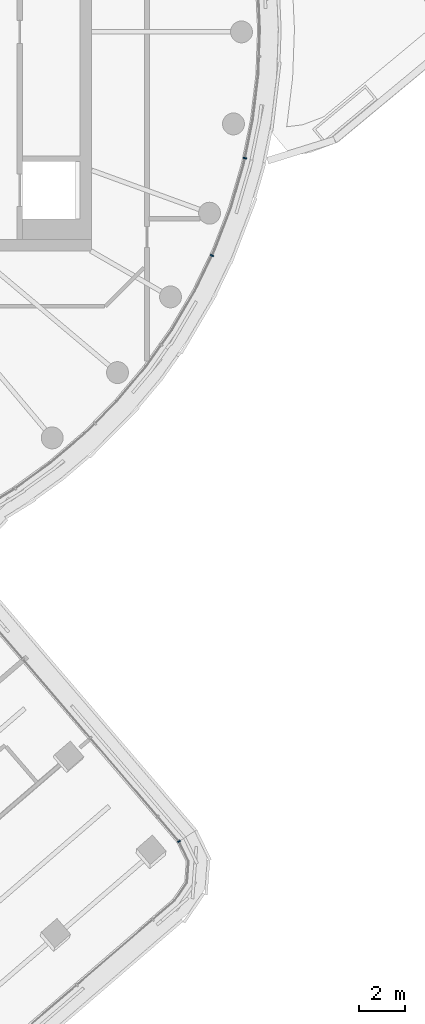
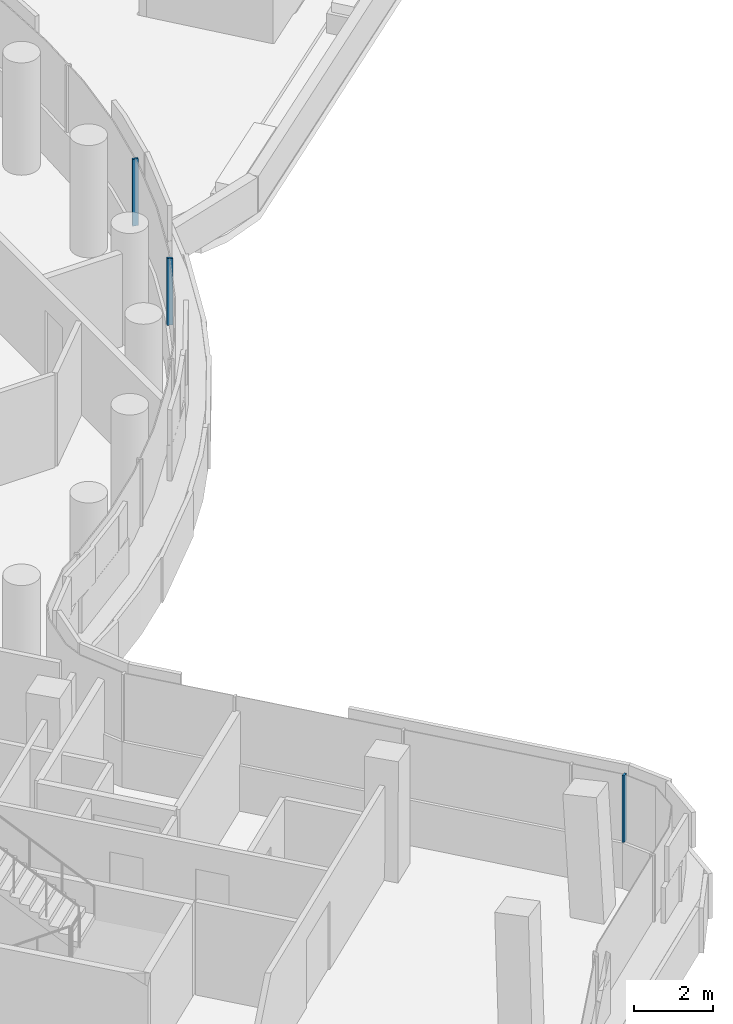
# One storey, part 13 of 34: 3 members, 2 elements without a shape of their own.
"""IFC4 building model written with IfcOpenShell, lengths in metres."""

from ifc_helpers import new_model, si_unit, direction, frame, origin, origin_2d, place, context, subcontext, project, spatial, rectangle, extrude, material, layer, layer_set, material_profile, profile_set, type_object, element, aggregate, save


model = new_model("IFC4")

# Units and contexts
model_context = context("Model", 3, precision=1e-05, world=origin(), true_north=direction((0.0, 1.0)))
body_context = subcontext(model_context, "Body", "Model", "MODEL_VIEW")
ifc_project = project(units=[si_unit("LENGTHUNIT", "METRE"), si_unit("AREAUNIT", "SQUARE_METRE"), si_unit("VOLUMEUNIT", "CUBIC_METRE"), si_unit("PLANEANGLEUNIT", "RADIAN"), si_unit("MASSUNIT", "GRAM", prefix="KILO")], contexts=[model_context])

# Site, building, storey
site_placement = place(None, origin())
site = spatial("IfcSite", under=ifc_project, at=site_placement, CompositionType="ELEMENT")
building_placement = place(site_placement, origin())
building = spatial("IfcBuilding", under=site, at=building_placement, Name="Tamarind Cross Interchange Tower", CompositionType="ELEMENT")
storey_placement = place(building_placement, frame((0.0, 0.0, 182.5)))
storey = spatial("IfcBuildingStorey", under=building, at=storey_placement, Name="L45", CompositionType="ELEMENT", Elevation=182.5)

# Curtain wall, member
ifc_material = material(Name="Aluminium 6063-T6", Category="aluminium")
ifc_layer_1 = layer(ifc_material, 0.139892578125)
ifc_layer_set_1 = layer_set([ifc_layer_1], Name="Aluminium 6063-T6")
curtain_wall_type_1 = type_object("IfcCurtainWallType", Name="Hotel curtain wall, 4.5 m bays", PredefinedType="NOTDEFINED", material=ifc_layer_set_1)
curtain_wall_1_placement = place(storey_placement, origin())
curtain_wall_1 = element("IfcCurtainWall", 1, at=curtain_wall_1_placement, inside=storey, type_object=curtain_wall_type_1, Name="CWS-L45-09", PredefinedType="NOTDEFINED")
ifc_material_profile_1 = material_profile(ifc_material, rectangle(XDim=0.06005859375, YDim=0.139892578125, at=origin_2d()), Name="Mullion CW2")
ifc_profile_set_1 = profile_set([ifc_material_profile_1], Name="Aluminium 6063-T6")
member_type_1 = type_object("IfcMemberType", Name="Mullion CW2", PredefinedType="MULLION", material=ifc_profile_set_1)
member_1_placement = place(storey_placement, frame((20.28759765625, -35.129150390625, 1.39990234375), z_axis=(0.0, 0.0, 1.0), x_axis=(-0.546948340065, 0.837166359394, 0.0)))
member_1 = element("IfcMember", 2, at=member_1_placement, type_object=member_type_1, Name="CWM-L45-09-00", PredefinedType="MULLION", context=body_context, shape_type="SweptSolid", body=[
    extrude(rectangle(XDim=0.06005859375, YDim=0.139892578125, at=origin_2d()), origin(), (0.0, 0.0, 1.0), 2.06005859375),
])
aggregate(curtain_wall_1, [member_1])

# Curtain wall, members
ifc_layer_2 = layer(ifc_material, 0.14990234375)
ifc_layer_set_2 = layer_set([ifc_layer_2], Name="Aluminium 6063-T6")
curtain_wall_type_2 = type_object("IfcCurtainWallType", Name="Winter garden and crown curtain wall", PredefinedType="NOTDEFINED", material=ifc_layer_set_2)
curtain_wall_2_placement = place(storey_placement, origin())
curtain_wall_2 = element("IfcCurtainWall", 3, at=curtain_wall_2_placement, inside=storey, type_object=curtain_wall_type_2, Name="CWS-L45-10", PredefinedType="NOTDEFINED")
ifc_material_profile_2 = material_profile(ifc_material, rectangle(XDim=0.06005859375, YDim=0.14990234375, at=origin_2d()), Name="Mullion CW6")
ifc_profile_set_2 = profile_set([ifc_material_profile_2], Name="Aluminium 6063-T6")
member_type_2 = type_object("IfcMemberType", Name="Mullion CW6", PredefinedType="MULLION", material=ifc_profile_set_2)
member_2_placement = place(storey_placement, frame((21.71728515625, -9.703125, 1.39990234375), z_axis=(0.0, 0.0, 1.0), x_axis=(0.435326231914, 0.900272776334, 0.0)))
member_2 = element("IfcMember", 4, at=member_2_placement, type_object=member_type_2, Name="CWM-L45-10-04", PredefinedType="MULLION", context=body_context, shape_type="SweptSolid", body=[
    extrude(rectangle(XDim=0.06005859375, YDim=0.14990234375, at=origin_2d()), origin(), (0.0, 0.0, 1.0), 2.06005859375),
])
member_3_placement = place(storey_placement, frame((23.146484375, -5.479248046875, 1.39990234375), z_axis=(0.0, 0.0, 1.0), x_axis=(0.201001463943, 0.9795909409, 0.0)))
member_3 = element("IfcMember", 5, at=member_3_placement, type_object=member_type_2, Name="CWM-L45-10-05", PredefinedType="MULLION", context=body_context, shape_type="SweptSolid", body=[
    extrude(rectangle(XDim=0.06005859375, YDim=0.14990234375, at=origin_2d()), origin(), (0.0, 0.0, 1.0), 2.06005859375),
])
aggregate(curtain_wall_2, [member_2, member_3])

save(model, "model.ifc")
